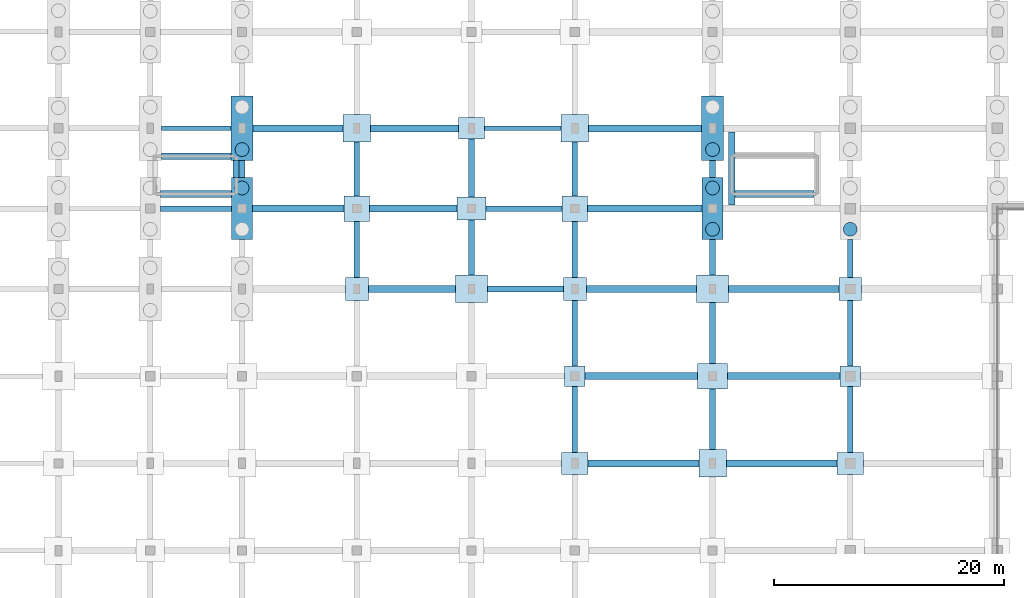
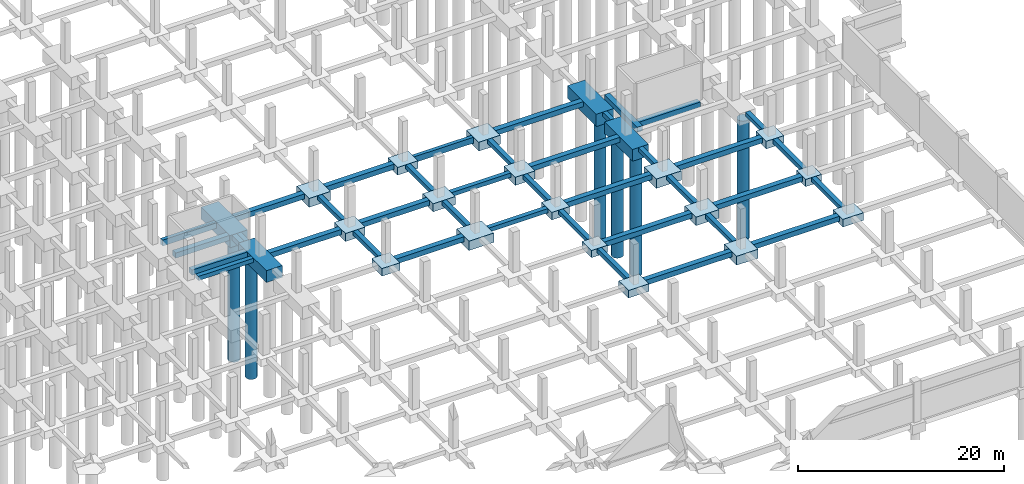
# One storey, part 19 of 50: 60 footings, 6 piles.
"""IFC4 building model written with IfcOpenShell, lengths in metres."""

from ifc_helpers import new_model, si_unit, direction, frame, origin, origin_2d, place, context, subcontext, project, spatial, polyline, rectangle, circle, outline, extrude, material, material_profile, profile_set, type_object, element, save


model = new_model("IFC4")

# Units and contexts
model_context = context("Model", 3, precision=1e-05, world=origin(), true_north=direction((0.0, 1.0)))
body_context = subcontext(model_context, "Body", "Model", "MODEL_VIEW")
ifc_project = project(units=[si_unit("LENGTHUNIT", "METRE"), si_unit("AREAUNIT", "SQUARE_METRE"), si_unit("VOLUMEUNIT", "CUBIC_METRE"), si_unit("PLANEANGLEUNIT", "RADIAN"), si_unit("MASSUNIT", "GRAM", prefix="KILO")], contexts=[model_context])

# Site, building, storey
site_placement = place(None, origin())
site = spatial("IfcSite", under=ifc_project, at=site_placement, CompositionType="ELEMENT")
building_placement = place(site_placement, origin())
building = spatial("IfcBuilding", under=site, at=building_placement, Name="Vekula Escarpment Museum", CompositionType="ELEMENT")
storey_placement = place(building_placement, frame((0.0, 0.0, -4.800048828125)))
storey = spatial("IfcBuildingStorey", under=building, at=storey_placement, Name="B1", CompositionType="ELEMENT", Elevation=-4.800048828125)

# Footings
ifc_material_1 = material(Name="Concrete C35/45", Category="concrete")
footing_type_1 = type_object("IfcFootingType", Name="FB-STRIP-600", PredefinedType="STRIP_FOOTING", material=ifc_material_1)
footing_1_placement = place(storey_placement, frame((0.0, 0.0, -0.599853515625)))
element("IfcFooting", 1, at=footing_1_placement, inside=storey, type_object=footing_type_1, Name="Stair Core Strip Footing ST-02 W", PredefinedType="STRIP_FOOTING", context=body_context, shape_type="SweptSolid", body=[
    extrude(outline(polyline([(168.97509765625, 52.904052734375), (168.375, 52.904052734375), (168.375, 59.2958984375), (168.97509765625, 59.2958984375), (168.97509765625, 52.904052734375)])), origin(), (0.0, 0.0, 1.0), 0.599853515625),
])
footing_2_placement = place(storey_placement, frame((0.0, 0.0, -0.599853515625)))
element("IfcFooting", 2, at=footing_2_placement, inside=storey, type_object=footing_type_1, Name="Stair Core Strip Footing ST-02 S", PredefinedType="STRIP_FOOTING", context=body_context, shape_type="SweptSolid", body=[
    extrude(outline(polyline([(168.97900390625, 53.574951171875), (168.97900390625, 54.175048828125), (175.821044921875, 54.175048828125), (175.821044921875, 53.574951171875), (168.97900390625, 53.574951171875)])), origin(), (0.0, 0.0, 1.0), 0.599853515625),
])
footing_3_placement = place(storey_placement, frame((0.0, 0.0, -0.599853515625)))
element("IfcFooting", 3, at=footing_3_placement, inside=storey, type_object=footing_type_1, Name="Stair Core Strip Footing ST-08 E", PredefinedType="STRIP_FOOTING", context=body_context, shape_type="SweptSolid", body=[
    extrude(outline(polyline([(125.22509765625, 56.7958984375), (125.74609375, 56.7958984375), (125.74609375, 55.303955078125), (125.22509765625, 55.303955078125), (125.22509765625, 56.7958984375)])), origin(), (0.0, 0.0, 1.0), 0.599853515625),
])
footing_4_placement = place(storey_placement, frame((0.0, 0.0, -0.599853515625)))
element("IfcFooting", 4, at=footing_4_placement, inside=storey, type_object=footing_type_1, Name="Stair Core Strip Footing ST-08 S", PredefinedType="STRIP_FOOTING", context=body_context, shape_type="SweptSolid", body=[
    extrude(outline(polyline([(118.904052734375, 53.574951171875), (118.904052734375, 54.175048828125), (125.095947265625, 54.175048828125), (125.095947265625, 53.574951171875), (118.904052734375, 53.574951171875)])), origin(), (0.0, 0.0, 1.0), 0.599853515625),
])
footing_5_placement = place(storey_placement, frame((0.0, 0.0, -0.599853515625)))
element("IfcFooting", 5, at=footing_5_placement, inside=storey, type_object=footing_type_1, Name="Stair Core Strip Footing ST-08 N", PredefinedType="STRIP_FOOTING", context=body_context, shape_type="SweptSolid", body=[
    extrude(outline(polyline([(118.97900390625, 56.864990234375), (118.97900390625, 57.465087890625), (125.02099609375, 57.465087890625), (125.02099609375, 56.864990234375), (118.97900390625, 56.864990234375)])), origin(), (0.0, 0.0, 1.0), 0.599853515625),
])
ifc_material_2 = material(Name="Concrete C35/45", Category="concrete")
ifc_material_profile_1 = material_profile(ifc_material_2, rectangle(XDim=0.39990234375, YDim=0.699951171875, at=origin_2d()), Name="RC 400x700")
ifc_profile_set_1 = profile_set([ifc_material_profile_1], Name="Concrete C35/45")
footing_type_2 = type_object("IfcFootingType", Name="FB-TIE-400x700", PredefinedType="FOOTING_BEAM", material=ifc_profile_set_1)
footing_6_placement = place(storey_placement, frame((118.97509765625, 59.60009765625, -0.349853515625), z_axis=(1.0, 0.0, 0.0), x_axis=(0.0, 1.0, 0.0)))
element("IfcFooting", 6, at=footing_6_placement, inside=storey, type_object=footing_type_2, Name="Foundation Tie Beam 180", PredefinedType="FOOTING_BEAM", context=body_context, shape_type="SweptSolid", body=[
    extrude(rectangle(XDim=0.39990234375, YDim=0.699951171875, at=origin_2d()), origin(), (0.0, 0.0, 1.0), 6.0498046875),
])
footing_7_placement = place(storey_placement, frame((147.14990234375, 59.60009765625, -0.349853515625), z_axis=(1.0, 0.0, 0.0), x_axis=(0.0, 1.0, 0.0)))
element("IfcFooting", 7, at=footing_7_placement, inside=storey, type_object=footing_type_2, Name="Foundation Tie Beam 183", PredefinedType="FOOTING_BEAM", context=body_context, shape_type="SweptSolid", body=[
    extrude(rectangle(XDim=0.39990234375, YDim=0.699951171875, at=origin_2d()), origin(), (0.0, 0.0, 1.0), 6.650146484375),
])
ifc_material_3 = material(Name="Concrete C35/45", Category="concrete")
ifc_material_profile_2 = material_profile(ifc_material_3, rectangle(XDim=0.5, YDim=0.5, at=origin_2d()), Name="RC 500x500")
ifc_profile_set_2 = profile_set([ifc_material_profile_2], Name="Concrete C35/45")
footing_type_3 = type_object("IfcFootingType", Name="FB-TIE-500x500", PredefinedType="FOOTING_BEAM", material=ifc_profile_set_2)
footing_8_placement = place(storey_placement, frame((147.39990234375, 45.60009765625, -0.25), z_axis=(1.0, 0.0, 0.0), x_axis=(0.0, 1.0, 0.0)))
element("IfcFooting", 8, at=footing_8_placement, inside=storey, type_object=footing_type_3, Name="Foundation Tie Beam 137", PredefinedType="FOOTING_BEAM", context=body_context, shape_type="SweptSolid", body=[
    extrude(rectangle(XDim=0.5, YDim=0.5, at=origin_2d()), origin(), (0.0, 0.0, 1.0), 6.60009765625),
])
footing_9_placement = place(storey_placement, frame((118.89990234375, 52.60009765625, -0.25), z_axis=(1.0, 0.0, 0.0), x_axis=(0.0, 1.0, 0.0)))
element("IfcFooting", 9, at=footing_9_placement, inside=storey, type_object=footing_type_3, Name="Foundation Tie Beam 157", PredefinedType="FOOTING_BEAM", context=body_context, shape_type="SweptSolid", body=[
    extrude(rectangle(XDim=0.5, YDim=0.5, at=origin_2d()), origin(), (0.0, 0.0, 1.0), 6.2001953125),
])
footing_10_placement = place(storey_placement, frame((147.25, 52.60009765625, -0.25), z_axis=(1.0, 0.0, 0.0), x_axis=(0.0, 1.0, 0.0)))
element("IfcFooting", 10, at=footing_10_placement, inside=storey, type_object=footing_type_3, Name="Foundation Tie Beam 160", PredefinedType="FOOTING_BEAM", context=body_context, shape_type="SweptSolid", body=[
    extrude(rectangle(XDim=0.5, YDim=0.5, at=origin_2d()), origin(), (0.0, 0.0, 1.0), 6.64990234375),
])
footing_11_placement = place(storey_placement, frame((126.0, 55.300048828125, -0.25), z_axis=(0.0, 1.0, 0.0), x_axis=(-1.0, 0.0, 0.0)))
element("IfcFooting", 11, at=footing_11_placement, inside=storey, type_object=footing_type_3, Name="Foundation Tie Beam 671", PredefinedType="FOOTING_BEAM", context=body_context, shape_type="SweptSolid", body=[
    extrude(rectangle(XDim=0.5, YDim=0.5, at=origin_2d()), origin(), (0.0, 0.0, 1.0), 1.5),
])
footing_12_placement = place(storey_placement, frame((136.0, 46.60009765625, -0.25), z_axis=(0.0, 1.0, 0.0), x_axis=(-1.0, 0.0, 0.0)))
element("IfcFooting", 12, at=footing_12_placement, inside=storey, type_object=footing_type_3, Name="Foundation Tie Beam 689", PredefinedType="FOOTING_BEAM", context=body_context, shape_type="SweptSolid", body=[
    extrude(rectangle(XDim=0.5, YDim=0.5, at=origin_2d()), origin(), (0.0, 0.0, 1.0), 4.89990234375),
])
footing_13_placement = place(storey_placement, frame((136.0, 53.699951171875, -0.25), z_axis=(0.0, 1.0, 0.0), x_axis=(-1.0, 0.0, 0.0)))
element("IfcFooting", 13, at=footing_13_placement, inside=storey, type_object=footing_type_3, Name="Foundation Tie Beam 690", PredefinedType="FOOTING_BEAM", context=body_context, shape_type="SweptSolid", body=[
    extrude(rectangle(XDim=0.5, YDim=0.5, at=origin_2d()), origin(), (0.0, 0.0, 1.0), 4.699951171875),
])
footing_14_placement = place(storey_placement, frame((146.0, 46.800048828125, -0.25), z_axis=(0.0, 1.0, 0.0), x_axis=(-1.0, 0.0, 0.0)))
element("IfcFooting", 14, at=footing_14_placement, inside=storey, type_object=footing_type_3, Name="Foundation Tie Beam 708", PredefinedType="FOOTING_BEAM", context=body_context, shape_type="SweptSolid", body=[
    extrude(rectangle(XDim=0.5, YDim=0.5, at=origin_2d()), origin(), (0.0, 0.0, 1.0), 4.800048828125),
])
footing_15_placement = place(storey_placement, frame((146.0, 53.60009765625, -0.25), z_axis=(0.0, 1.0, 0.0), x_axis=(-1.0, 0.0, 0.0)))
element("IfcFooting", 15, at=footing_15_placement, inside=storey, type_object=footing_type_3, Name="Foundation Tie Beam 709", PredefinedType="FOOTING_BEAM", context=body_context, shape_type="SweptSolid", body=[
    extrude(rectangle(XDim=0.5, YDim=0.5, at=origin_2d()), origin(), (0.0, 0.0, 1.0), 5.0498046875),
])
footing_16_placement = place(storey_placement, frame((155.0, 31.35009765625, -0.25), z_axis=(0.0, 1.0, 0.0), x_axis=(-1.0, 0.0, 0.0)))
element("IfcFooting", 16, at=footing_16_placement, inside=storey, type_object=footing_type_3, Name="Foundation Tie Beam 725", PredefinedType="FOOTING_BEAM", context=body_context, shape_type="SweptSolid", body=[
    extrude(rectangle(XDim=0.5, YDim=0.5, at=origin_2d()), origin(), (0.0, 0.0, 1.0), 5.75),
])
footing_17_placement = place(storey_placement, frame((155.0, 38.89990234375, -0.25), z_axis=(0.0, 1.0, 0.0), x_axis=(-1.0, 0.0, 0.0)))
element("IfcFooting", 17, at=footing_17_placement, inside=storey, type_object=footing_type_3, Name="Foundation Tie Beam 726", PredefinedType="FOOTING_BEAM", context=body_context, shape_type="SweptSolid", body=[
    extrude(rectangle(XDim=0.5, YDim=0.5, at=origin_2d()), origin(), (0.0, 0.0, 1.0), 5.7001953125),
])
footing_18_placement = place(storey_placement, frame((155.0, 46.60009765625, -0.25), z_axis=(0.0, 1.0, 0.0), x_axis=(-1.0, 0.0, 0.0)))
element("IfcFooting", 18, at=footing_18_placement, inside=storey, type_object=footing_type_3, Name="Foundation Tie Beam 727", PredefinedType="FOOTING_BEAM", context=body_context, shape_type="SweptSolid", body=[
    extrude(rectangle(XDim=0.5, YDim=0.5, at=origin_2d()), origin(), (0.0, 0.0, 1.0), 4.89990234375),
])
footing_19_placement = place(storey_placement, frame((155.0, 53.699951171875, -0.25), z_axis=(0.0, 1.0, 0.0), x_axis=(-1.0, 0.0, 0.0)))
element("IfcFooting", 19, at=footing_19_placement, inside=storey, type_object=footing_type_3, Name="Foundation Tie Beam 728", PredefinedType="FOOTING_BEAM", context=body_context, shape_type="SweptSolid", body=[
    extrude(rectangle(XDim=0.5, YDim=0.5, at=origin_2d()), origin(), (0.0, 0.0, 1.0), 4.699951171875),
])
for number, where, z_axis, x_axis, name in (
    (20, (167.0, 31.60009765625, -0.25), (0.0, 1.0, 0.0), (-1.0, 0.0, 0.0), "Foundation Tie Beam 744"),
    (21, (167.0, 39.10009765625, -0.25), (0.0, 1.0, 0.0), (-1.0, 0.0, 0.0), "Foundation Tie Beam 745"),
):
    element("IfcFooting", number, at=place(storey_placement, frame(where, z_axis=z_axis, x_axis=x_axis)), inside=storey, type_object=footing_type_3, Name=name, PredefinedType="FOOTING_BEAM", context=body_context, shape_type="SweptSolid", body=[
        extrude(rectangle(XDim=0.5, YDim=0.5, at=origin_2d()), origin(), (0.0, 0.0, 1.0), 5.2998046875),
    ])
footing_20_placement = place(storey_placement, frame((167.0, 46.800048828125, -0.25), z_axis=(0.0, 1.0, 0.0), x_axis=(-1.0, 0.0, 0.0)))
element("IfcFooting", 22, at=footing_20_placement, inside=storey, type_object=footing_type_3, Name="Foundation Tie Beam 746", PredefinedType="FOOTING_BEAM", context=body_context, shape_type="SweptSolid", body=[
    extrude(rectangle(XDim=0.5, YDim=0.5, at=origin_2d()), origin(), (0.0, 0.0, 1.0), 3.099853515625),
])
footing_21_placement = place(storey_placement, frame((167.0, 55.300048828125, -0.25), z_axis=(0.0, 1.0, 0.0), x_axis=(-1.0, 0.0, 0.0)))
element("IfcFooting", 23, at=footing_21_placement, inside=storey, type_object=footing_type_3, Name="Foundation Tie Beam 747", PredefinedType="FOOTING_BEAM", context=body_context, shape_type="SweptSolid", body=[
    extrude(rectangle(XDim=0.5, YDim=0.5, at=origin_2d()), origin(), (0.0, 0.0, 1.0), 1.5),
])
footing_22_placement = place(storey_placement, frame((179.0, 31.35009765625, -0.25), z_axis=(0.0, 1.0, 0.0), x_axis=(-1.0, 0.0, 0.0)))
element("IfcFooting", 24, at=footing_22_placement, inside=storey, type_object=footing_type_3, Name="Foundation Tie Beam 763", PredefinedType="FOOTING_BEAM", context=body_context, shape_type="SweptSolid", body=[
    extrude(rectangle(XDim=0.5, YDim=0.5, at=origin_2d()), origin(), (0.0, 0.0, 1.0), 5.75),
])
footing_23_placement = place(storey_placement, frame((179.0, 38.89990234375, -0.25), z_axis=(0.0, 1.0, 0.0), x_axis=(-1.0, 0.0, 0.0)))
element("IfcFooting", 25, at=footing_23_placement, inside=storey, type_object=footing_type_3, Name="Foundation Tie Beam 764", PredefinedType="FOOTING_BEAM", context=body_context, shape_type="SweptSolid", body=[
    extrude(rectangle(XDim=0.5, YDim=0.5, at=origin_2d()), origin(), (0.0, 0.0, 1.0), 5.7001953125),
])
footing_24_placement = place(storey_placement, frame((179.0, 46.60009765625, -0.25), z_axis=(0.0, 1.0, 0.0), x_axis=(-1.0, 0.0, 0.0)))
element("IfcFooting", 26, at=footing_24_placement, inside=storey, type_object=footing_type_3, Name="Foundation Tie Beam 765", PredefinedType="FOOTING_BEAM", context=body_context, shape_type="SweptSolid", body=[
    extrude(rectangle(XDim=0.5, YDim=0.5, at=origin_2d()), origin(), (0.0, 0.0, 1.0), 3.2998046875),
])
ifc_material_4 = material(Name="Concrete C35/45", Category="concrete")
ifc_material_profile_3 = material_profile(ifc_material_4, rectangle(XDim=0.60009765625, YDim=0.60009765625, at=origin_2d()), Name="RC 600x600")
ifc_profile_set_3 = profile_set([ifc_material_profile_3], Name="Concrete C35/45")
footing_type_4 = type_object("IfcFootingType", Name="FB-TIE-600x600", PredefinedType="FOOTING_BEAM", material=ifc_profile_set_3)
for number, where, z_axis, x_axis, name in (
    (27, (156.14990234375, 30.39990234375, -0.300048828125), (1.0, 0.0, 0.0), (0.0, 1.0, 0.0), "Foundation Tie Beam 096"),
    (28, (168.199951171875, 30.39990234375, -0.300048828125), (1.0, 0.0, 0.0), (0.0, 1.0, 0.0), "Foundation Tie Beam 097"),
):
    element("IfcFooting", number, at=place(storey_placement, frame(where, z_axis=z_axis, x_axis=x_axis)), inside=storey, type_object=footing_type_4, Name=name, PredefinedType="FOOTING_BEAM", context=body_context, shape_type="SweptSolid", body=[
        extrude(rectangle(XDim=0.60009765625, YDim=0.60009765625, at=origin_2d()), origin(), (0.0, 0.0, 1.0), 9.650146484375),
    ])
for number, where, z_axis, x_axis, name in (
    (29, (155.89990234375, 38.0, -0.300048828125), (1.0, 0.0, 0.0), (0.0, 1.0, 0.0), "Foundation Tie Beam 117"),
    (30, (168.300048828125, 38.0, -0.300048828125), (1.0, 0.0, 0.0), (0.0, 1.0, 0.0), "Foundation Tie Beam 118"),
):
    element("IfcFooting", number, at=place(storey_placement, frame(where, z_axis=z_axis, x_axis=x_axis)), inside=storey, type_object=footing_type_4, Name=name, PredefinedType="FOOTING_BEAM", context=body_context, shape_type="SweptSolid", body=[
        extrude(rectangle(XDim=0.60009765625, YDim=0.60009765625, at=origin_2d()), origin(), (0.0, 0.0, 1.0), 9.800048828125),
    ])
footing_25_placement = place(storey_placement, frame((137.0, 45.60009765625, -0.300048828125), z_axis=(1.0, 0.0, 0.0), x_axis=(0.0, 1.0, 0.0)))
element("IfcFooting", 31, at=footing_25_placement, inside=storey, type_object=footing_type_4, Name="Foundation Tie Beam 136", PredefinedType="FOOTING_BEAM", context=body_context, shape_type="SweptSolid", body=[
    extrude(rectangle(XDim=0.60009765625, YDim=0.60009765625, at=origin_2d()), origin(), (0.0, 0.0, 1.0), 7.60009765625),
])
for number, where, z_axis, x_axis, name in (
    (32, (156.0, 45.60009765625, -0.300048828125), (1.0, 0.0, 0.0), (0.0, 1.0, 0.0), "Foundation Tie Beam 138"),
    (33, (168.39990234375, 45.60009765625, -0.300048828125), (1.0, 0.0, 0.0), (0.0, 1.0, 0.0), "Foundation Tie Beam 139"),
):
    element("IfcFooting", number, at=place(storey_placement, frame(where, z_axis=z_axis, x_axis=x_axis)), inside=storey, type_object=footing_type_4, Name=name, PredefinedType="FOOTING_BEAM", context=body_context, shape_type="SweptSolid", body=[
        extrude(rectangle(XDim=0.60009765625, YDim=0.60009765625, at=origin_2d()), origin(), (0.0, 0.0, 1.0), 9.60009765625),
    ])
footing_26_placement = place(storey_placement, frame((126.89990234375, 52.60009765625, -0.300048828125), z_axis=(1.0, 0.0, 0.0), x_axis=(0.0, 1.0, 0.0)))
element("IfcFooting", 34, at=footing_26_placement, inside=storey, type_object=footing_type_4, Name="Foundation Tie Beam 158", PredefinedType="FOOTING_BEAM", context=body_context, shape_type="SweptSolid", body=[
    extrude(rectangle(XDim=0.60009765625, YDim=0.60009765625, at=origin_2d()), origin(), (0.0, 0.0, 1.0), 8.0),
])
footing_27_placement = place(storey_placement, frame((137.10009765625, 52.60009765625, -0.300048828125), z_axis=(1.0, 0.0, 0.0), x_axis=(0.0, 1.0, 0.0)))
element("IfcFooting", 35, at=footing_27_placement, inside=storey, type_object=footing_type_4, Name="Foundation Tie Beam 159", PredefinedType="FOOTING_BEAM", context=body_context, shape_type="SweptSolid", body=[
    extrude(rectangle(XDim=0.60009765625, YDim=0.60009765625, at=origin_2d()), origin(), (0.0, 0.0, 1.0), 7.64990234375),
])
footing_28_placement = place(storey_placement, frame((156.10009765625, 52.60009765625, -0.300048828125), z_axis=(1.0, 0.0, 0.0), x_axis=(0.0, 1.0, 0.0)))
element("IfcFooting", 36, at=footing_28_placement, inside=storey, type_object=footing_type_4, Name="Foundation Tie Beam 161", PredefinedType="FOOTING_BEAM", context=body_context, shape_type="SweptSolid", body=[
    extrude(rectangle(XDim=0.60009765625, YDim=0.60009765625, at=origin_2d()), origin(), (0.0, 0.0, 1.0), 10.0),
])
footing_29_placement = place(storey_placement, frame((126.97509765625, 59.60009765625, -0.300048828125), z_axis=(1.0, 0.0, 0.0), x_axis=(0.0, 1.0, 0.0)))
element("IfcFooting", 37, at=footing_29_placement, inside=storey, type_object=footing_type_4, Name="Foundation Tie Beam 181", PredefinedType="FOOTING_BEAM", context=body_context, shape_type="SweptSolid", body=[
    extrude(rectangle(XDim=0.60009765625, YDim=0.60009765625, at=origin_2d()), origin(), (0.0, 0.0, 1.0), 7.824951171875),
])
footing_30_placement = place(storey_placement, frame((137.199951171875, 59.60009765625, -0.300048828125), z_axis=(1.0, 0.0, 0.0), x_axis=(0.0, 1.0, 0.0)))
element("IfcFooting", 38, at=footing_30_placement, inside=storey, type_object=footing_type_4, Name="Foundation Tie Beam 182", PredefinedType="FOOTING_BEAM", context=body_context, shape_type="SweptSolid", body=[
    extrude(rectangle(XDim=0.60009765625, YDim=0.60009765625, at=origin_2d()), origin(), (0.0, 0.0, 1.0), 7.650146484375),
])
footing_31_placement = place(storey_placement, frame((156.199951171875, 59.60009765625, -0.300048828125), z_axis=(1.0, 0.0, 0.0), x_axis=(0.0, 1.0, 0.0)))
element("IfcFooting", 39, at=footing_31_placement, inside=storey, type_object=footing_type_4, Name="Foundation Tie Beam 184", PredefinedType="FOOTING_BEAM", context=body_context, shape_type="SweptSolid", body=[
    extrude(rectangle(XDim=0.60009765625, YDim=0.60009765625, at=origin_2d()), origin(), (0.0, 0.0, 1.0), 9.824951171875),
])
ifc_material_5 = material(Name="Concrete C35/45", Category="concrete")
footing_type_5 = type_object("IfcFootingType", Name="FC-PAD1", PredefinedType="PAD_FOOTING", material=ifc_material_5)
footing_32_placement = place(storey_placement, frame((0.0, 0.0, -0.849853515625)))
element("IfcFooting", 40, at=footing_32_placement, inside=storey, type_object=footing_type_5, Name="Foundation FC-PAD1 (155.0,38.0)", PredefinedType="PAD_FOOTING", context=body_context, shape_type="SweptSolid", body=[
    extrude(outline(polyline([(154.10009765625, 37.10009765625), (155.89990234375, 37.10009765625), (155.89990234375, 38.89990234375), (154.10009765625, 38.89990234375), (154.10009765625, 37.10009765625)])), origin(), (0.0, 0.0, 1.0), 0.849853515625),
])
footing_33_placement = place(storey_placement, frame((0.0, 0.0, -0.849853515625)))
element("IfcFooting", 41, at=footing_33_placement, inside=storey, type_object=footing_type_5, Name="Foundation FC-PAD1 (179.0,38.0)", PredefinedType="PAD_FOOTING", context=body_context, shape_type="SweptSolid", body=[
    extrude(outline(polyline([(178.10009765625, 37.10009765625), (179.89990234375, 37.10009765625), (179.89990234375, 38.89990234375), (178.10009765625, 38.89990234375), (178.10009765625, 37.10009765625)])), origin(), (0.0, 0.0, 1.0), 0.849853515625),
])
ifc_material_6 = material(Name="Concrete C35/45", Category="concrete")
footing_type_6 = type_object("IfcFootingType", Name="FC-PAD2", PredefinedType="PAD_FOOTING", material=ifc_material_6)
footing_34_placement = place(storey_placement, frame((0.0, 0.0, -0.89990234375)))
element("IfcFooting", 42, at=footing_34_placement, inside=storey, type_object=footing_type_6, Name="Foundation FC-PAD2 (136.0,45.6)", PredefinedType="PAD_FOOTING", context=body_context, shape_type="SweptSolid", body=[
    extrude(outline(polyline([(135.0, 44.60009765625), (137.0, 44.60009765625), (137.0, 46.60009765625), (135.0, 46.60009765625), (135.0, 44.60009765625)])), origin(), (0.0, 0.0, 1.0), 0.89990234375),
])
footing_35_placement = place(storey_placement, frame((0.0, 0.0, -0.89990234375)))
element("IfcFooting", 43, at=footing_35_placement, inside=storey, type_object=footing_type_6, Name="Foundation FC-PAD2 (155.0,45.6)", PredefinedType="PAD_FOOTING", context=body_context, shape_type="SweptSolid", body=[
    extrude(outline(polyline([(154.0, 44.60009765625), (156.0, 44.60009765625), (156.0, 46.60009765625), (154.0, 46.60009765625), (154.0, 44.60009765625)])), origin(), (0.0, 0.0, 1.0), 0.89990234375),
])
footing_36_placement = place(storey_placement, frame((0.0, 0.0, -0.89990234375)))
element("IfcFooting", 44, at=footing_36_placement, inside=storey, type_object=footing_type_6, Name="Foundation FC-PAD2 (179.0,45.6)", PredefinedType="PAD_FOOTING", context=body_context, shape_type="SweptSolid", body=[
    extrude(outline(polyline([(178.0, 44.60009765625), (180.0, 44.60009765625), (180.0, 46.60009765625), (178.0, 46.60009765625), (178.0, 44.60009765625)])), origin(), (0.0, 0.0, 1.0), 0.89990234375),
])
ifc_material_7 = material(Name="Concrete C35/45", Category="concrete")
footing_type_7 = type_object("IfcFootingType", Name="FC-PAD3", PredefinedType="PAD_FOOTING", material=ifc_material_7)
footing_37_placement = place(storey_placement, frame((0.0, 0.0, -0.949951171875)))
element("IfcFooting", 45, at=footing_37_placement, inside=storey, type_object=footing_type_7, Name="Foundation FC-PAD3 (136.0,52.6)", PredefinedType="PAD_FOOTING", context=body_context, shape_type="SweptSolid", body=[
    extrude(outline(polyline([(134.89990234375, 51.5), (137.10009765625, 51.5), (137.10009765625, 53.699951171875), (134.89990234375, 53.699951171875), (134.89990234375, 51.5)])), origin(), (0.0, 0.0, 1.0), 0.949951171875),
])
footing_38_placement = place(storey_placement, frame((0.0, 0.0, -0.949951171875)))
element("IfcFooting", 46, at=footing_38_placement, inside=storey, type_object=footing_type_7, Name="Foundation FC-PAD3 (155.0,52.6)", PredefinedType="PAD_FOOTING", context=body_context, shape_type="SweptSolid", body=[
    extrude(outline(polyline([(153.89990234375, 51.5), (156.10009765625, 51.5), (156.10009765625, 53.699951171875), (153.89990234375, 53.699951171875), (153.89990234375, 51.5)])), origin(), (0.0, 0.0, 1.0), 0.949951171875),
])
ifc_material_8 = material(Name="Concrete C35/45", Category="concrete")
footing_type_8 = type_object("IfcFootingType", Name="FC-PAD4", PredefinedType="PAD_FOOTING", material=ifc_material_8)
footing_39_placement = place(storey_placement, frame((0.0, 0.0, -1.050048828125)))
element("IfcFooting", 47, at=footing_39_placement, inside=storey, type_object=footing_type_8, Name="Foundation FC-PAD4 (136.0,59.6)", PredefinedType="PAD_FOOTING", context=body_context, shape_type="SweptSolid", body=[
    extrude(outline(polyline([(134.800048828125, 58.39990234375), (137.199951171875, 58.39990234375), (137.199951171875, 60.800048828125), (134.800048828125, 60.800048828125), (134.800048828125, 58.39990234375)])), origin(), (0.0, 0.0, 1.0), 1.050048828125),
])
footing_40_placement = place(storey_placement, frame((0.0, 0.0, -1.050048828125)))
element("IfcFooting", 48, at=footing_40_placement, inside=storey, type_object=footing_type_8, Name="Foundation FC-PAD4 (155.0,59.6)", PredefinedType="PAD_FOOTING", context=body_context, shape_type="SweptSolid", body=[
    extrude(outline(polyline([(153.800048828125, 58.39990234375), (156.199951171875, 58.39990234375), (156.199951171875, 60.800048828125), (153.800048828125, 60.800048828125), (153.800048828125, 58.39990234375)])), origin(), (0.0, 0.0, 1.0), 1.050048828125),
])
footing_41_placement = place(storey_placement, frame((0.0, 0.0, -1.050048828125)))
element("IfcFooting", 49, at=footing_41_placement, inside=storey, type_object=footing_type_8, Name="Foundation FC-PAD4 (167.0,30.4)", PredefinedType="PAD_FOOTING", context=body_context, shape_type="SweptSolid", body=[
    extrude(outline(polyline([(165.800048828125, 29.199951171875), (168.199951171875, 29.199951171875), (168.199951171875, 31.60009765625), (165.800048828125, 31.60009765625), (165.800048828125, 29.199951171875)])), origin(), (0.0, 0.0, 1.0), 1.050048828125),
])
ifc_material_9 = material(Name="Concrete C35/45", Category="concrete")
footing_type_9 = type_object("IfcFootingType", Name="FC-PAD5", PredefinedType="PAD_FOOTING", material=ifc_material_9)
footing_42_placement = place(storey_placement, frame((0.0, 0.0, -1.0)))
element("IfcFooting", 50, at=footing_42_placement, inside=storey, type_object=footing_type_9, Name="Foundation FC-PAD5 (167.0,38.0)", PredefinedType="PAD_FOOTING", context=body_context, shape_type="SweptSolid", body=[
    extrude(outline(polyline([(165.699951171875, 36.89990234375), (168.300048828125, 36.89990234375), (168.300048828125, 39.10009765625), (165.699951171875, 39.10009765625), (165.699951171875, 36.89990234375)])), origin(), (0.0, 0.0, 1.0), 1.0),
])
ifc_material_10 = material(Name="Concrete C35/45", Category="concrete")
footing_type_10 = type_object("IfcFootingType", Name="FC-PAD6", PredefinedType="PAD_FOOTING", material=ifc_material_10)
footing_43_placement = place(storey_placement, frame((0.0, 0.0, -1.099853515625)))
element("IfcFooting", 51, at=footing_43_placement, inside=storey, type_object=footing_type_10, Name="Foundation FC-PAD6 (146.0,45.6)", PredefinedType="PAD_FOOTING", context=body_context, shape_type="SweptSolid", body=[
    extrude(outline(polyline([(144.60009765625, 44.39990234375), (147.39990234375, 44.39990234375), (147.39990234375, 46.800048828125), (144.60009765625, 46.800048828125), (144.60009765625, 44.39990234375)])), origin(), (0.0, 0.0, 1.0), 1.099853515625),
])
footing_44_placement = place(storey_placement, frame((0.0, 0.0, -1.099853515625)))
element("IfcFooting", 52, at=footing_44_placement, inside=storey, type_object=footing_type_10, Name="Foundation FC-PAD6 (167.0,45.6)", PredefinedType="PAD_FOOTING", context=body_context, shape_type="SweptSolid", body=[
    extrude(outline(polyline([(165.60009765625, 44.39990234375), (168.39990234375, 44.39990234375), (168.39990234375, 46.800048828125), (165.60009765625, 46.800048828125), (165.60009765625, 44.39990234375)])), origin(), (0.0, 0.0, 1.0), 1.099853515625),
])
ifc_material_11 = material(Name="Concrete C35/45", Category="concrete")
footing_type_11 = type_object("IfcFootingType", Name="FC-PAD7", PredefinedType="PAD_FOOTING", material=ifc_material_11)
footing_45_placement = place(storey_placement, frame((0.0, 0.0, -0.949951171875)))
element("IfcFooting", 53, at=footing_45_placement, inside=storey, type_object=footing_type_11, Name="Foundation FC-PAD7 (146.0,52.6)", PredefinedType="PAD_FOOTING", context=body_context, shape_type="SweptSolid", body=[
    extrude(outline(polyline([(144.75, 51.60009765625), (147.25, 51.60009765625), (147.25, 53.60009765625), (144.75, 53.60009765625), (144.75, 51.60009765625)])), origin(), (0.0, 0.0, 1.0), 0.949951171875),
])
ifc_material_12 = material(Name="Concrete C35/45", Category="concrete")
footing_type_12 = type_object("IfcFootingType", Name="FC-PAD8", PredefinedType="PAD_FOOTING", material=ifc_material_12)
footing_46_placement = place(storey_placement, frame((0.0, 0.0, -0.89990234375)))
element("IfcFooting", 54, at=footing_46_placement, inside=storey, type_object=footing_type_12, Name="Foundation FC-PAD8 (146.0,59.6)", PredefinedType="PAD_FOOTING", context=body_context, shape_type="SweptSolid", body=[
    extrude(outline(polyline([(144.85009765625, 58.64990234375), (147.14990234375, 58.64990234375), (147.14990234375, 60.550048828125), (144.85009765625, 60.550048828125), (144.85009765625, 58.64990234375)])), origin(), (0.0, 0.0, 1.0), 0.89990234375),
])
footing_47_placement = place(storey_placement, frame((0.0, 0.0, -0.89990234375)))
element("IfcFooting", 55, at=footing_47_placement, inside=storey, type_object=footing_type_12, Name="Foundation FC-PAD8 (155.0,30.4)", PredefinedType="PAD_FOOTING", context=body_context, shape_type="SweptSolid", body=[
    extrude(outline(polyline([(153.85009765625, 29.449951171875), (156.14990234375, 29.449951171875), (156.14990234375, 31.35009765625), (153.85009765625, 31.35009765625), (153.85009765625, 29.449951171875)])), origin(), (0.0, 0.0, 1.0), 0.89990234375),
])
footing_48_placement = place(storey_placement, frame((0.0, 0.0, -0.89990234375)))
element("IfcFooting", 56, at=footing_48_placement, inside=storey, type_object=footing_type_12, Name="Foundation FC-PAD8 (179.0,30.4)", PredefinedType="PAD_FOOTING", context=body_context, shape_type="SweptSolid", body=[
    extrude(outline(polyline([(177.85009765625, 29.449951171875), (180.14990234375, 29.449951171875), (180.14990234375, 31.35009765625), (177.85009765625, 31.35009765625), (177.85009765625, 29.449951171875)])), origin(), (0.0, 0.0, 1.0), 0.89990234375),
])
ifc_material_13 = material(Name="Concrete C35/45", Category="concrete")
footing_type_13 = type_object("IfcFootingType", Name="FC-PC2Y-HA", PredefinedType="PILE_CAP", material=ifc_material_13)
footing_49_placement = place(storey_placement, frame((0.0, 0.0, -1.39990234375)))
element("IfcFooting", 57, at=footing_49_placement, inside=storey, type_object=footing_type_13, Name="Foundation FC-PC2Y-HA (126.0,52.6)", PredefinedType="PILE_CAP", context=body_context, shape_type="SweptSolid", body=[
    extrude(outline(polyline([(125.10009765625, 49.89990234375), (126.89990234375, 49.89990234375), (126.89990234375, 55.300048828125), (125.10009765625, 55.300048828125), (125.10009765625, 49.89990234375)])), origin(), (0.0, 0.0, 1.0), 1.39990234375),
])
footing_50_placement = place(storey_placement, frame((0.0, 0.0, -1.39990234375)))
element("IfcFooting", 58, at=footing_50_placement, inside=storey, type_object=footing_type_13, Name="Foundation FC-PC2Y-HA (167.0,52.6)", PredefinedType="PILE_CAP", context=body_context, shape_type="SweptSolid", body=[
    extrude(outline(polyline([(166.10009765625, 49.89990234375), (167.89990234375, 49.89990234375), (167.89990234375, 55.300048828125), (166.10009765625, 55.300048828125), (166.10009765625, 49.89990234375)])), origin(), (0.0, 0.0, 1.0), 1.39990234375),
])
ifc_material_14 = material(Name="Concrete C35/45", Category="concrete")
footing_type_14 = type_object("IfcFootingType", Name="FC-PC2Y-HB", PredefinedType="PILE_CAP", material=ifc_material_14)
footing_51_placement = place(storey_placement, frame((0.0, 0.0, -1.449951171875)))
element("IfcFooting", 59, at=footing_51_placement, inside=storey, type_object=footing_type_14, Name="Foundation FC-PC2Y-HB (126.0,59.6)", PredefinedType="PILE_CAP", context=body_context, shape_type="SweptSolid", body=[
    extrude(outline(polyline([(125.02490234375, 56.800048828125), (126.97509765625, 56.800048828125), (126.97509765625, 62.39990234375), (125.02490234375, 62.39990234375), (125.02490234375, 56.800048828125)])), origin(), (0.0, 0.0, 1.0), 1.449951171875),
])
footing_52_placement = place(storey_placement, frame((0.0, 0.0, -1.449951171875)))
element("IfcFooting", 60, at=footing_52_placement, inside=storey, type_object=footing_type_14, Name="Foundation FC-PC2Y-HB (167.0,59.6)", PredefinedType="PILE_CAP", context=body_context, shape_type="SweptSolid", body=[
    extrude(outline(polyline([(166.02490234375, 56.800048828125), (167.97509765625, 56.800048828125), (167.97509765625, 62.39990234375), (166.02490234375, 62.39990234375), (166.02490234375, 56.800048828125)])), origin(), (0.0, 0.0, 1.0), 1.449951171875),
])

# Piles
ifc_material_15 = material(Name="Concrete C35/45", Category="concrete")
ifc_material_profile_4 = material_profile(ifc_material_15, circle(Radius=0.60009765625, at=origin_2d()), Name="BORED PILE 1200")
ifc_profile_set_4 = profile_set([ifc_material_profile_4], Name="Concrete C35/45")
pile_type = type_object("IfcPileType", Name="PILE-B1200", PredefinedType="BORED", material=ifc_profile_set_4)
pile_1_placement = place(storey_placement, frame((126.0, 54.39990234375, -1.300048828125), z_axis=(0.0, 0.0, -1.0), x_axis=(1.0, 0.0, 0.0)))
element("IfcPile", 61, at=pile_1_placement, inside=storey, type_object=pile_type, Name="Bored Pile (126.0,54.4)", PredefinedType="BORED", context=body_context, shape_type="SweptSolid", body=[
    extrude(circle(Radius=0.60009765625, at=origin_2d()), origin(), (0.0, 0.0, 1.0), 14.199951171875),
])
pile_2_placement = place(storey_placement, frame((126.0, 57.75, -1.349853515625), z_axis=(0.0, 0.0, -1.0), x_axis=(1.0, 0.0, 0.0)))
element("IfcPile", 62, at=pile_2_placement, inside=storey, type_object=pile_type, Name="Bored Pile (126.0,57.8)", PredefinedType="BORED", context=body_context, shape_type="SweptSolid", body=[
    extrude(circle(Radius=0.60009765625, at=origin_2d()), origin(), (0.0, 0.0, 1.0), 14.14990234375),
])
for number, where, z_axis, x_axis, name in (
    (63, (167.0, 50.800048828125, -1.300048828125), (0.0, 0.0, -1.0), (1.0, 0.0, 0.0), "Bored Pile (167.0,50.8)"),
    (64, (167.0, 54.39990234375, -1.300048828125), (0.0, 0.0, -1.0), (1.0, 0.0, 0.0), "Bored Pile (167.0,54.4)"),
):
    element("IfcPile", number, at=place(storey_placement, frame(where, z_axis=z_axis, x_axis=x_axis)), inside=storey, type_object=pile_type, Name=name, PredefinedType="BORED", context=body_context, shape_type="SweptSolid", body=[
        extrude(circle(Radius=0.60009765625, at=origin_2d()), origin(), (0.0, 0.0, 1.0), 14.199951171875),
    ])
pile_3_placement = place(storey_placement, frame((167.0, 57.75, -1.349853515625), z_axis=(0.0, 0.0, -1.0), x_axis=(1.0, 0.0, 0.0)))
element("IfcPile", 65, at=pile_3_placement, inside=storey, type_object=pile_type, Name="Bored Pile (167.0,57.8)", PredefinedType="BORED", context=body_context, shape_type="SweptSolid", body=[
    extrude(circle(Radius=0.60009765625, at=origin_2d()), origin(), (0.0, 0.0, 1.0), 14.14990234375),
])
pile_4_placement = place(storey_placement, frame((179.0, 50.800048828125, -1.300048828125), z_axis=(0.0, 0.0, -1.0), x_axis=(1.0, 0.0, 0.0)))
element("IfcPile", 66, at=pile_4_placement, inside=storey, type_object=pile_type, Name="Bored Pile (179.0,50.8)", PredefinedType="BORED", context=body_context, shape_type="SweptSolid", body=[
    extrude(circle(Radius=0.60009765625, at=origin_2d()), origin(), (0.0, 0.0, 1.0), 14.199951171875),
])

save(model, "model.ifc")
